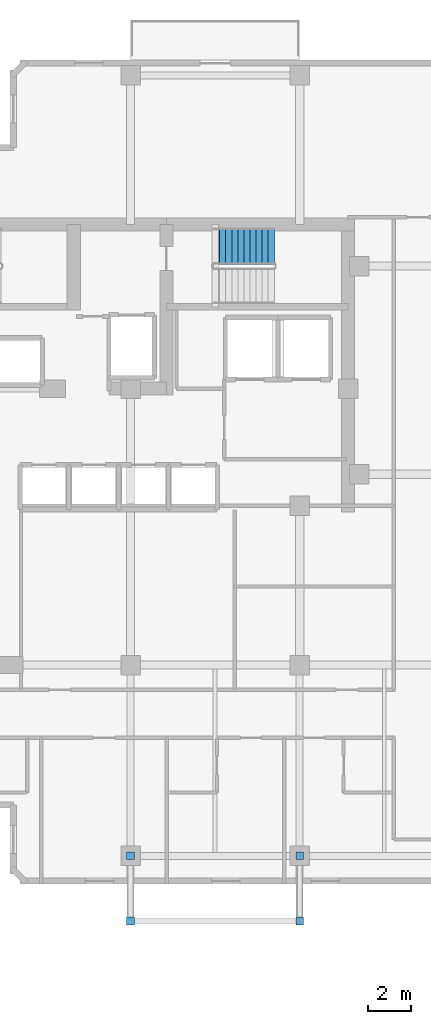
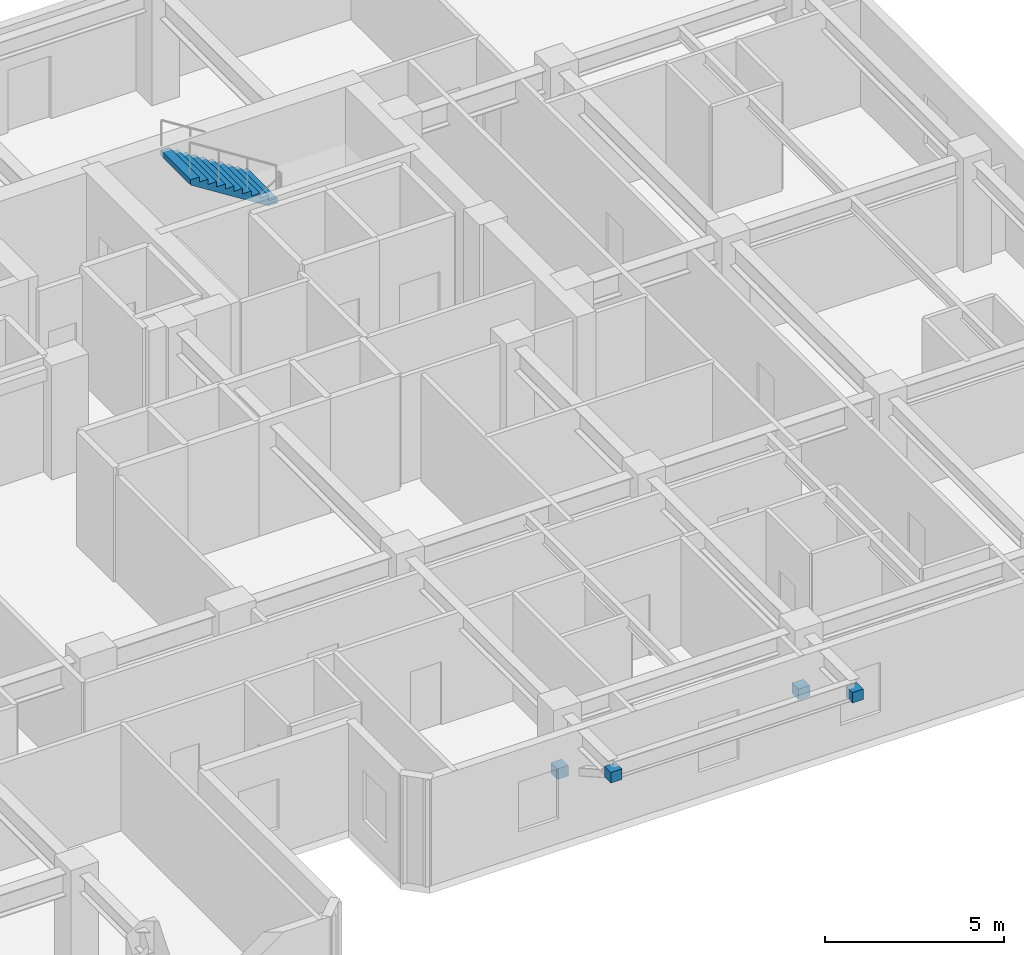
# One storey, part 9 of 10: 4 discrete accessories, 1 stair flight, 1 element without a shape of its own.
"""IFC4 building model written with IfcOpenShell, lengths in metres."""

from ifc_helpers import new_model, si_unit, direction, frame, origin, origin_2d, place, context, subcontext, project, spatial, polyline, rectangle, outline, extrude, material, type_object, element, aggregate, save


model = new_model("IFC4")

# Units and contexts
model_context = context("Model", 3, precision=1e-05, world=origin(), true_north=direction((0.0, 1.0)))
body_context = subcontext(model_context, "Body", "Model", "MODEL_VIEW")
ifc_project = project(units=[si_unit("LENGTHUNIT", "METRE"), si_unit("AREAUNIT", "SQUARE_METRE"), si_unit("VOLUMEUNIT", "CUBIC_METRE"), si_unit("PLANEANGLEUNIT", "RADIAN"), si_unit("MASSUNIT", "GRAM", prefix="KILO")], contexts=[model_context])

# Site, building, storey
site_placement = place(None, origin())
site = spatial("IfcSite", under=ifc_project, at=site_placement, CompositionType="ELEMENT")
building_placement = place(site_placement, origin())
building = spatial("IfcBuilding", under=site, at=building_placement, Name="Kestravale Grand Hotel", CompositionType="ELEMENT")
storey_placement = place(building_placement, frame((0.0, 0.0, 224.10009765625)))
storey = spatial("IfcBuildingStorey", under=building, at=storey_placement, Name="L56", CompositionType="ELEMENT", Elevation=224.10009765625)

# Stair, stair flight
ifc_material_1 = material(Name="Concrete f'c 45 MPa", Category="concrete")
stair_type = type_object("IfcStairType", Name="ST-CORE-390", PredefinedType="HALF_TURN_STAIR", material=ifc_material_1)
stair_placement = place(storey_placement, origin())
stair = element("IfcStair", 1, at=stair_placement, inside=storey, type_object=stair_type, Name="L56 ST-3", PredefinedType="HALF_TURN_STAIR")
ifc_material_2 = material(Name="Concrete f'c 45 MPa", Category="concrete")
stair_flight_type = type_object("IfcStairFlightType", Name="STF-CORE-390", PredefinedType="STRAIGHT", material=ifc_material_2)
stair_flight_placement = place(storey_placement, frame((53.429931640625, 39.320068359375, 1.949951171875), z_axis=(0.0, 0.0, 1.0), x_axis=(-1.0, 0.0, 0.0)))
stair_flight = element("IfcStairFlight", 2, at=stair_flight_placement, type_object=stair_flight_type, Name="ST-3 flight 2", NumberOfRisers=11, NumberOfTreads=10, PredefinedType="STRAIGHT", RiserHeight=0.177272727, TreadLength=0.28, context=body_context, shape_type="SweptSolid", body=[
    extrude(outline(polyline([(0.0, 0.0), (0.0, 0.17724609375), (0.280029296875, 0.17724609375), (0.280029296875, 0.3544921875), (0.56005859375, 0.3544921875), (0.56005859375, 0.53173828125), (0.840087890625, 0.53173828125), (0.840087890625, 0.708984375), (1.1201171875, 0.708984375), (1.1201171875, 0.886474609375), (1.39990234375, 0.886474609375), (1.39990234375, 1.063720703125), (1.679931640625, 1.063720703125), (1.679931640625, 1.240966796875), (1.9599609375, 1.240966796875), (1.9599609375, 1.418212890625), (2.239990234375, 1.418212890625), (2.239990234375, 1.595458984375), (2.52001953125, 1.595458984375), (2.52001953125, 1.772705078125), (2.800048828125, 1.772705078125), (2.800048828125, 1.949951171875), (2.800048828125, 1.59521484375), (0.2802734375, 0.0), (0.0, 0.0)])), frame((0.0, 0.83984375, 0.0), z_axis=(0.0, -1.0, 0.0), x_axis=(1.0, 0.0, 0.0)), (0.0, 0.0, 1.0), 1.679931640625),
])
aggregate(stair, [stair_flight])

# Discrete accessories
ifc_material_3 = material(Name="Steel ASTM A572 Grade 50 hot-dip galvanised bracket", Category="steel")
discrete_accessory_type = type_object("IfcDiscreteAccessoryType", Name="ACC-BRK-STL", PredefinedType="BRACKET", material=ifc_material_3)
for number, where, z_axis, x_axis, name in (
    (3, (46.800048828125, 11.199951171875, 1.2939453125), (0.0, 0.0, 1.0), (1.0, 0.0, 0.0), "L57 terrace strut column bracket 1"),
    (4, (46.800048828125, 8.199951171875, 2.99365234375), (0.0, 0.0, 1.0), (1.0, 0.0, 0.0), "L57 terrace strut beam bracket 1"),
    (5, (54.60009765625, 11.199951171875, 1.2939453125), (0.0, 0.0, 1.0), (1.0, 0.0, 0.0), "L57 terrace strut column bracket 2"),
    (6, (54.60009765625, 8.199951171875, 2.99365234375), (0.0, 0.0, 1.0), (1.0, 0.0, 0.0), "L57 terrace strut beam bracket 2"),
):
    element("IfcDiscreteAccessory", number, at=place(storey_placement, frame(where, z_axis=z_axis, x_axis=x_axis)), inside=storey, type_object=discrete_accessory_type, Name=name, PredefinedType="BRACKET", context=body_context, shape_type="SweptSolid", body=[
        extrude(rectangle(XDim=0.360107421875, YDim=0.360107421875, at=origin_2d()), origin(), (0.0, 0.0, 1.0), 0.360107421875),
    ])

save(model, "model.ifc")
